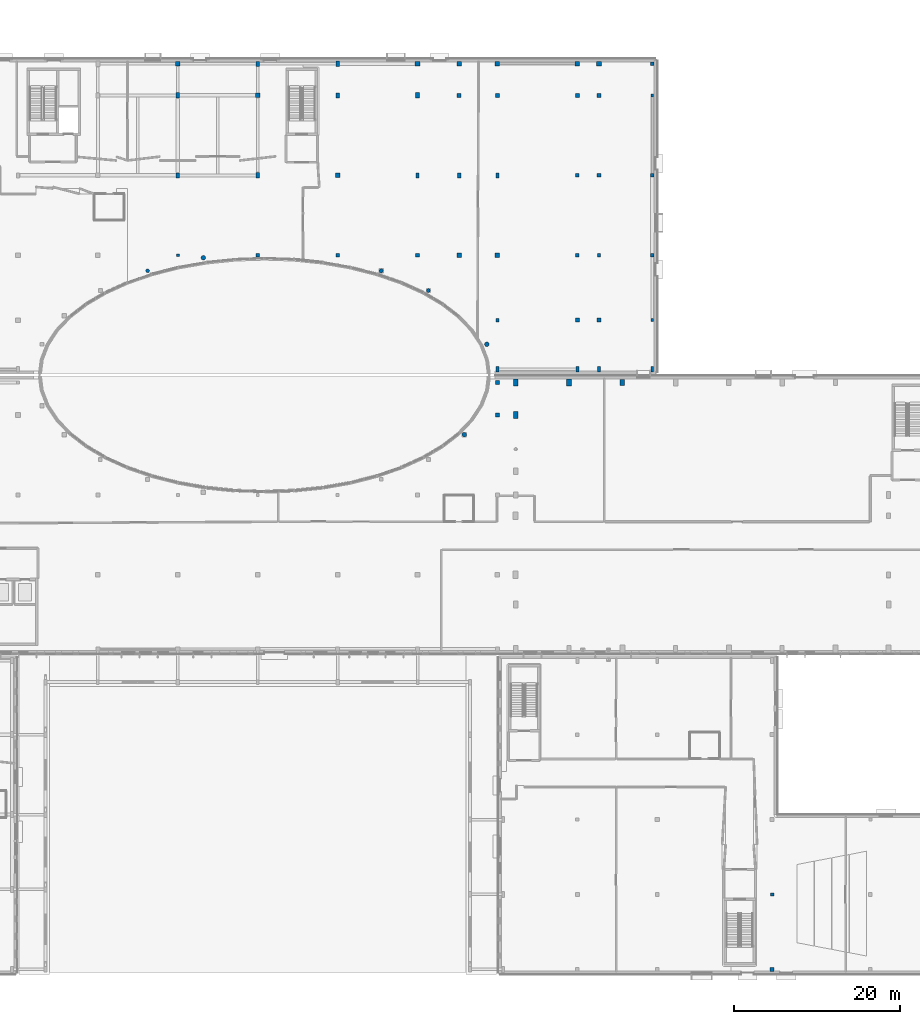
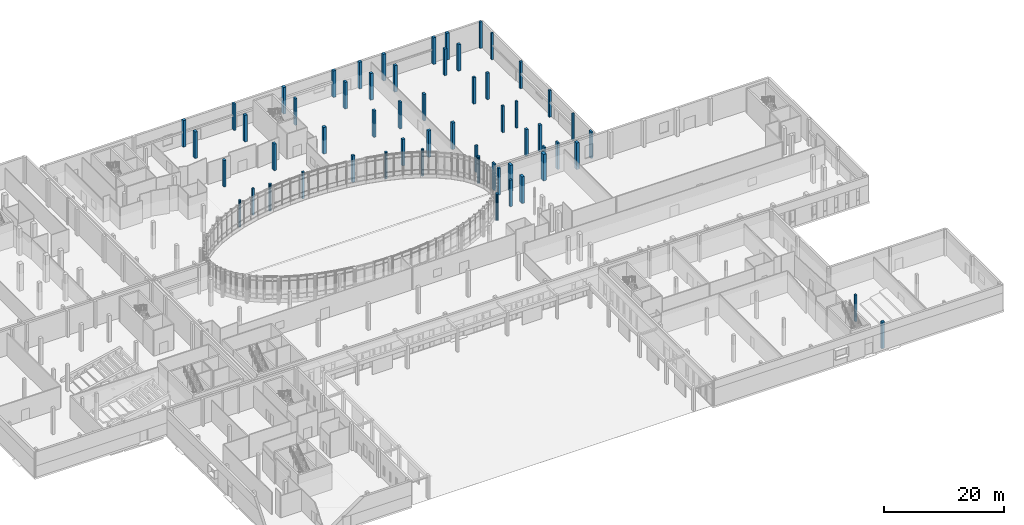
# One storey, part 7 of 84: 58 columns.
"""IFC4 building model written with IfcOpenShell, lengths in metres."""

from ifc_helpers import new_model, si_unit, direction, frame, origin, origin_2d, place, context, subcontext, project, spatial, rectangle, circle, extrude, material, material_profile, profile_set, type_object, element, save


model = new_model("IFC4")

# Units and contexts
model_context = context("Model", 3, precision=1e-05, world=origin(), true_north=direction((0.0, 1.0)))
body_context = subcontext(model_context, "Body", "Model", "MODEL_VIEW")
ifc_project = project(units=[si_unit("LENGTHUNIT", "METRE"), si_unit("AREAUNIT", "SQUARE_METRE"), si_unit("VOLUMEUNIT", "CUBIC_METRE"), si_unit("PLANEANGLEUNIT", "RADIAN"), si_unit("MASSUNIT", "GRAM", prefix="KILO")], contexts=[model_context])

# Site, building, storey
site_placement = place(None, origin())
site = spatial("IfcSite", under=ifc_project, at=site_placement, CompositionType="ELEMENT")
building_placement = place(site_placement, origin())
building = spatial("IfcBuilding", under=site, at=building_placement, Name="Mzevani Central Library", CompositionType="ELEMENT")
storey_placement = place(building_placement, origin())
storey = spatial("IfcBuildingStorey", under=building, at=storey_placement, Name="L00", CompositionType="ELEMENT", Elevation=0.0)

# Columns
ifc_material = material(Name="Concrete C40/50", Category="concrete")
ifc_material_profile_1 = material_profile(ifc_material, rectangle(XDim=0.35009765625, YDim=0.35009765625, at=origin_2d()), Name="RC 350x350")
ifc_profile_set_1 = profile_set([ifc_material_profile_1], Name="Concrete C40/50")
column_type_1 = type_object("IfcColumnType", Name="Column RC 350x350", PredefinedType="COLUMN", material=ifc_profile_set_1)
for number, where, z_axis, x_axis, name in (
    (1, (73.60009765625, 90.39990234375, 0.0), (0.0, 0.0, 1.0), (1.0, 0.0, 0.0), "L00 V3 Column C-01 (114)"),
    (2, (130.60009765625, 82.60009765625, 0.0), (0.0, 0.0, 1.0), (1.0, 0.0, 0.0), "L00 V3 Column C-01 (153)"),
    (3, (130.60009765625, 109.60009765625, 0.0), (0.0, 0.0, 1.0), (1.0, 0.0, 0.0), "L00 V3 Column C-01 (156)"),
):
    element("IfcColumn", number, at=place(storey_placement, frame(where, z_axis=z_axis, x_axis=x_axis)), inside=storey, type_object=column_type_1, Name=name, PredefinedType="COLUMN", context=body_context, shape_type="SweptSolid", body=[
        extrude(rectangle(XDim=0.35009765625, YDim=0.35009765625, at=origin_2d()), origin(), (0.0, 0.0, 1.0), 5.39990234375),
    ])
ifc_material_profile_2 = material_profile(ifc_material, rectangle(XDim=0.39990234375, YDim=0.39990234375, at=origin_2d()), Name="RC 400x400")
ifc_profile_set_2 = profile_set([ifc_material_profile_2], Name="Concrete C40/50")
column_type_2 = type_object("IfcColumnType", Name="Column RC 400x400", PredefinedType="COLUMN", material=ifc_profile_set_2)
for number, where, z_axis, x_axis, name in (
    (4, (83.199951171875, 90.39990234375, 0.0), (0.0, 0.0, 1.0), (1.0, 0.0, 0.0), "L00 V3 Column C-02 (118)"),
    (5, (112.0, 82.60009765625, 0.0), (0.0, 0.0, 1.0), (1.0, 0.0, 0.0), "L00 V3 Column C-02 (135)"),
    (6, (121.60009765625, 90.39990234375, 0.0), (0.0, 0.0, 1.0), (1.0, 0.0, 0.0), "L00 V3 Column C-02 (142)"),
    (7, (124.199951171875, 90.39990234375, 0.0), (0.0, 0.0, 1.0), (1.0, 0.0, 0.0), "L00 V3 Column C-02 (148)"),
    (8, (130.60009765625, 90.39990234375, 0.0), (0.0, 0.0, 1.0), (1.0, 0.0, 0.0), "L00 V3 Column C-02 (154)"),
    (9, (130.60009765625, 113.39990234375, 0.0), (0.0, 0.0, 1.0), (1.0, 0.0, 0.0), "L00 V3 Column C-02 (157)"),
    (10, (145.0, 13.60009765625, 0.0), (0.0, 0.0, 1.0), (1.0, 0.0, 0.0), "L00 V6 Column C-02 (225)"),
):
    element("IfcColumn", number, at=place(storey_placement, frame(where, z_axis=z_axis, x_axis=x_axis)), inside=storey, type_object=column_type_2, Name=name, PredefinedType="COLUMN", context=body_context, shape_type="SweptSolid", body=[
        extrude(rectangle(XDim=0.39990234375, YDim=0.39990234375, at=origin_2d()), origin(), (0.0, 0.0, 1.0), 5.39990234375),
    ])
ifc_material_profile_3 = material_profile(ifc_material, rectangle(XDim=0.39990234375, YDim=0.60009765625, at=origin_2d()), Name="RC 400x600")
ifc_profile_set_3 = profile_set([ifc_material_profile_3], Name="Concrete C40/50")
column_type_3 = type_object("IfcColumnType", Name="Column RC 400x600", PredefinedType="COLUMN", material=ifc_profile_set_3)
for number, where, z_axis, x_axis, name in (
    (11, (73.60009765625, 100.0, 0.0), (0.0, 0.0, 1.0), (1.0, 0.0, 0.0), "L00 V3 Column C-11 (115)"),
    (12, (83.199951171875, 113.39990234375, 0.0), (0.0, 0.0, 1.0), (1.0, 0.0, 0.0), "L00 V3 Column C-11 (121)"),
    (13, (92.800048828125, 109.60009765625, 0.0), (0.0, 0.0, 1.0), (1.0, 0.0, 0.0), "L00 V3 Column C-11 (124)"),
    (14, (102.39990234375, 100.0, 0.0), (0.0, 0.0, 1.0), (1.0, 0.0, 0.0), "L00 V3 Column C-11 (127)"),
    (15, (107.39990234375, 100.0, 0.0), (0.0, 0.0, 1.0), (1.0, 0.0, 0.0), "L00 V3 Column C-11 (131)"),
    (16, (112.0, 100.0, 0.0), (0.0, 0.0, 1.0), (1.0, 0.0, 0.0), "L00 V3 Column C-11 (137)"),
):
    element("IfcColumn", number, at=place(storey_placement, frame(where, z_axis=z_axis, x_axis=x_axis)), inside=storey, type_object=column_type_3, Name=name, PredefinedType="COLUMN", context=body_context, shape_type="SweptSolid", body=[
        extrude(rectangle(XDim=0.39990234375, YDim=0.60009765625, at=origin_2d()), origin(), (0.0, 0.0, 1.0), 5.39990234375),
    ])
ifc_material_profile_4 = material_profile(ifc_material, rectangle(XDim=0.449951171875, YDim=0.449951171875, at=origin_2d()), Name="RC 450x450")
ifc_profile_set_4 = profile_set([ifc_material_profile_4], Name="Concrete C40/50")
column_type_4 = type_object("IfcColumnType", Name="Column RC 450x450", PredefinedType="COLUMN", material=ifc_profile_set_4)
for number, where, z_axis, x_axis, name in (
    (17, (112.0, 71.199951171875, 0.0), (0.0, 0.0, 1.0), (1.0, 0.0, 0.0), "L00 V1 Column C-03 (25)"),
    (18, (112.0, 75.10009765625, 0.0), (0.0, 0.0, 1.0), (1.0, 0.0, 0.0), "L00 V1 Column C-03 (26)"),
    (19, (92.800048828125, 90.39990234375, 0.0), (0.0, 0.0, 1.0), (1.0, 0.0, 0.0), "L00 V3 Column C-03 (122)"),
    (20, (102.39990234375, 90.39990234375, 0.0), (0.0, 0.0, 1.0), (1.0, 0.0, 0.0), "L00 V3 Column C-03 (126)"),
    (21, (121.60009765625, 100.0, 0.0), (0.0, 0.0, 1.0), (1.0, 0.0, 0.0), "L00 V3 Column C-03 (143)"),
    (22, (124.199951171875, 100.0, 0.0), (0.0, 0.0, 1.0), (1.0, 0.0, 0.0), "L00 V3 Column C-03 (149)"),
    (23, (130.60009765625, 100.0, 0.0), (0.0, 0.0, 1.0), (1.0, 0.0, 0.0), "L00 V3 Column C-03 (155)"),
):
    element("IfcColumn", number, at=place(storey_placement, frame(where, z_axis=z_axis, x_axis=x_axis)), inside=storey, type_object=column_type_4, Name=name, PredefinedType="COLUMN", context=body_context, shape_type="SweptSolid", body=[
        extrude(rectangle(XDim=0.449951171875, YDim=0.449951171875, at=origin_2d()), origin(), (0.0, 0.0, 1.0), 5.39990234375),
    ])
ifc_material_profile_5 = material_profile(ifc_material, rectangle(XDim=0.449951171875, YDim=0.64990234375, at=origin_2d()), Name="RC 450x650")
ifc_profile_set_5 = profile_set([ifc_material_profile_5], Name="Concrete C40/50")
column_type_5 = type_object("IfcColumnType", Name="Column RC 450x650", PredefinedType="COLUMN", material=ifc_profile_set_5)
for number, where, z_axis, x_axis, name in (
    (24, (73.60009765625, 109.60009765625, 0.0), (0.0, 0.0, 1.0), (1.0, 0.0, 0.0), "L00 V3 Column C-12 (116)"),
    (25, (83.199951171875, 100.0, 0.0), (0.0, 0.0, 1.0), (1.0, 0.0, 0.0), "L00 V3 Column C-12 (119)"),
    (26, (92.800048828125, 113.39990234375, 0.0), (0.0, 0.0, 1.0), (1.0, 0.0, 0.0), "L00 V3 Column C-12 (125)"),
    (27, (102.39990234375, 109.60009765625, 0.0), (0.0, 0.0, 1.0), (1.0, 0.0, 0.0), "L00 V3 Column C-12 (128)"),
):
    element("IfcColumn", number, at=place(storey_placement, frame(where, z_axis=z_axis, x_axis=x_axis)), inside=storey, type_object=column_type_5, Name=name, PredefinedType="COLUMN", context=body_context, shape_type="SweptSolid", body=[
        extrude(rectangle(XDim=0.449951171875, YDim=0.64990234375, at=origin_2d()), origin(), (0.0, 0.0, 1.0), 5.39990234375),
    ])
ifc_material_profile_6 = material_profile(ifc_material, rectangle(XDim=0.5, YDim=0.5, at=origin_2d()), Name="RC 500x500")
ifc_profile_set_6 = profile_set([ifc_material_profile_6], Name="Concrete C40/50")
column_type_6 = type_object("IfcColumnType", Name="Column RC 500x500", PredefinedType="COLUMN", material=ifc_profile_set_6)
for number, where, z_axis, x_axis, name in (
    (28, (107.39990234375, 109.60009765625, 0.0), (0.0, 0.0, 1.0), (1.0, 0.0, 0.0), "L00 V3 Column C-04 (132)"),
    (29, (112.0, 109.60009765625, 0.0), (0.0, 0.0, 1.0), (1.0, 0.0, 0.0), "L00 V3 Column C-04 (138)"),
    (30, (121.60009765625, 82.60009765625, 0.0), (0.0, 0.0, 1.0), (1.0, 0.0, 0.0), "L00 V3 Column C-04 (141)"),
    (31, (121.60009765625, 109.60009765625, 0.0), (0.0, 0.0, 1.0), (1.0, 0.0, 0.0), "L00 V3 Column C-04 (144)"),
    (32, (124.199951171875, 82.60009765625, 0.0), (0.0, 0.0, 1.0), (1.0, 0.0, 0.0), "L00 V3 Column C-04 (147)"),
    (33, (124.199951171875, 109.60009765625, 0.0), (0.0, 0.0, 1.0), (1.0, 0.0, 0.0), "L00 V3 Column C-04 (150)"),
    (34, (145.0, 4.60009765625, 0.0), (0.0, 0.0, 1.0), (1.0, 0.0, 0.0), "L00 V6 Column C-04 (224)"),
):
    element("IfcColumn", number, at=place(storey_placement, frame(where, z_axis=z_axis, x_axis=x_axis)), inside=storey, type_object=column_type_6, Name=name, PredefinedType="COLUMN", context=body_context, shape_type="SweptSolid", body=[
        extrude(rectangle(XDim=0.5, YDim=0.5, at=origin_2d()), origin(), (0.0, 0.0, 1.0), 5.39990234375),
    ])
ifc_material_profile_7 = material_profile(ifc_material, rectangle(XDim=0.5, YDim=0.699951171875, at=origin_2d()), Name="RC 500x700")
ifc_profile_set_7 = profile_set([ifc_material_profile_7], Name="Concrete C40/50")
column_type_7 = type_object("IfcColumnType", Name="Column RC 500x700", PredefinedType="COLUMN", material=ifc_profile_set_7)
column_1_placement = place(storey_placement, frame((127.0, 75.10009765625, 0.0), z_axis=(0.0, 0.0, 1.0), x_axis=(1.0, 0.0, 0.0)))
element("IfcColumn", 35, at=column_1_placement, inside=storey, type_object=column_type_7, Name="L00 V1 Column C-14 (41)", PredefinedType="COLUMN", context=body_context, shape_type="SweptSolid", body=[
    extrude(rectangle(XDim=0.5, YDim=0.699951171875, at=origin_2d()), origin(), (0.0, 0.0, 1.0), 5.39990234375),
])
ifc_material_profile_8 = material_profile(ifc_material, rectangle(XDim=0.5, YDim=0.800048828125, at=origin_2d()), Name="RC 500x800")
ifc_profile_set_8 = profile_set([ifc_material_profile_8], Name="Concrete C40/50")
column_type_8 = type_object("IfcColumnType", Name="Column RC 500x800", PredefinedType="COLUMN", material=ifc_profile_set_8)
for number, where, z_axis, x_axis, name in (
    (36, (114.199951171875, 71.199951171875, 0.0), (0.0, 0.0, 1.0), (1.0, 0.0, 0.0), "L00 V1 Column C-15 (30)"),
    (37, (114.199951171875, 75.10009765625, 0.0), (0.0, 0.0, 1.0), (1.0, 0.0, 0.0), "L00 V1 Column C-15 (31)"),
):
    element("IfcColumn", number, at=place(storey_placement, frame(where, z_axis=z_axis, x_axis=x_axis)), inside=storey, type_object=column_type_8, Name=name, PredefinedType="COLUMN", context=body_context, shape_type="SweptSolid", body=[
        extrude(rectangle(XDim=0.5, YDim=0.800048828125, at=origin_2d()), origin(), (0.0, 0.0, 1.0), 5.39990234375),
    ])
ifc_material_profile_9 = material_profile(ifc_material, rectangle(XDim=0.550048828125, YDim=0.550048828125, at=origin_2d()), Name="RC 550x550")
ifc_profile_set_9 = profile_set([ifc_material_profile_9], Name="Concrete C40/50")
column_type_9 = type_object("IfcColumnType", Name="Column RC 550x550", PredefinedType="COLUMN", material=ifc_profile_set_9)
for number, where, z_axis, x_axis, name in (
    (38, (73.60009765625, 113.39990234375, 0.0), (0.0, 0.0, 1.0), (1.0, 0.0, 0.0), "L00 V3 Column C-05 (117)"),
    (39, (83.199951171875, 109.60009765625, 0.0), (0.0, 0.0, 1.0), (1.0, 0.0, 0.0), "L00 V3 Column C-05 (120)"),
    (40, (92.800048828125, 100.0, 0.0), (0.0, 0.0, 1.0), (1.0, 0.0, 0.0), "L00 V3 Column C-05 (123)"),
    (41, (102.39990234375, 113.39990234375, 0.0), (0.0, 0.0, 1.0), (1.0, 0.0, 0.0), "L00 V3 Column C-05 (129)"),
    (42, (107.39990234375, 90.39990234375, 0.0), (0.0, 0.0, 1.0), (1.0, 0.0, 0.0), "L00 V3 Column C-05 (130)"),
    (43, (107.39990234375, 113.39990234375, 0.0), (0.0, 0.0, 1.0), (1.0, 0.0, 0.0), "L00 V3 Column C-05 (133)"),
    (44, (112.0, 90.39990234375, 0.0), (0.0, 0.0, 1.0), (1.0, 0.0, 0.0), "L00 V3 Column C-05 (136)"),
    (45, (112.0, 113.39990234375, 0.0), (0.0, 0.0, 1.0), (1.0, 0.0, 0.0), "L00 V3 Column C-05 (139)"),
    (46, (121.60009765625, 113.39990234375, 0.0), (0.0, 0.0, 1.0), (1.0, 0.0, 0.0), "L00 V3 Column C-05 (145)"),
    (47, (124.199951171875, 113.39990234375, 0.0), (0.0, 0.0, 1.0), (1.0, 0.0, 0.0), "L00 V3 Column C-05 (151)"),
):
    element("IfcColumn", number, at=place(storey_placement, frame(where, z_axis=z_axis, x_axis=x_axis)), inside=storey, type_object=column_type_9, Name=name, PredefinedType="COLUMN", context=body_context, shape_type="SweptSolid", body=[
        extrude(rectangle(XDim=0.550048828125, YDim=0.550048828125, at=origin_2d()), origin(), (0.0, 0.0, 1.0), 5.39990234375),
    ])
ifc_material_profile_10 = material_profile(ifc_material, rectangle(XDim=0.550048828125, YDim=0.85009765625, at=origin_2d()), Name="RC 550x850")
ifc_profile_set_10 = profile_set([ifc_material_profile_10], Name="Concrete C40/50")
column_type_10 = type_object("IfcColumnType", Name="Column RC 550x850", PredefinedType="COLUMN", material=ifc_profile_set_10)
column_2_placement = place(storey_placement, frame((120.60009765625, 75.10009765625, 0.0), z_axis=(0.0, 0.0, 1.0), x_axis=(1.0, 0.0, 0.0)))
element("IfcColumn", 48, at=column_2_placement, inside=storey, type_object=column_type_10, Name="L00 V1 Column C-16 (39)", PredefinedType="COLUMN", context=body_context, shape_type="SweptSolid", body=[
    extrude(rectangle(XDim=0.550048828125, YDim=0.85009765625, at=origin_2d()), origin(), (0.0, 0.0, 1.0), 5.39990234375),
])
ifc_material_profile_11 = material_profile(ifc_material, circle(Radius=0.22509765625, at=origin_2d()), Name="RC D450")
ifc_profile_set_11 = profile_set([ifc_material_profile_11], Name="Concrete C40/50")
column_type_11 = type_object("IfcColumnType", Name="Court Column RC D450", PredefinedType="COLUMN", material=ifc_profile_set_11)
for number, where, z_axis, x_axis, name in (
    (49, (103.7060546875, 86.156005859375, 0.0), (0.0, 0.0, 1.0), (1.0, 0.0, 0.0), "L00 V3 Column CC-02 (159)"),
    (50, (69.966064453125, 88.528076171875, 0.0), (0.0, 0.0, 1.0), (1.0, 0.0, 0.0), "L00 V3 Column CC-02 (162)"),
):
    element("IfcColumn", number, at=place(storey_placement, frame(where, z_axis=z_axis, x_axis=x_axis)), inside=storey, type_object=column_type_11, Name=name, PredefinedType="COLUMN", context=body_context, shape_type="SweptSolid", body=[
        extrude(circle(Radius=0.22509765625, at=origin_2d()), origin(), (0.0, 0.0, 1.0), 5.39990234375),
    ])
ifc_material_profile_12 = material_profile(ifc_material, circle(Radius=0.25, at=origin_2d()), Name="RC D500")
ifc_profile_set_12 = profile_set([ifc_material_profile_12], Name="Concrete C40/50")
column_type_12 = type_object("IfcColumnType", Name="Court Column RC D500", PredefinedType="COLUMN", material=ifc_profile_set_12)
column_3_placement = place(storey_placement, frame((98.033935546875, 88.528076171875, 0.0), z_axis=(0.0, 0.0, 1.0), x_axis=(1.0, 0.0, 0.0)))
element("IfcColumn", 51, at=column_3_placement, inside=storey, type_object=column_type_12, Name="L00 V3 Column CC-03 (160)", PredefinedType="COLUMN", context=body_context, shape_type="SweptSolid", body=[
    extrude(circle(Radius=0.25, at=origin_2d()), origin(), (0.0, 0.0, 1.0), 5.39990234375),
])
ifc_material_profile_13 = material_profile(ifc_material, circle(Radius=0.27490234375, at=origin_2d()), Name="RC D550")
ifc_profile_set_13 = profile_set([ifc_material_profile_13], Name="Concrete C40/50")
column_type_13 = type_object("IfcColumnType", Name="Court Column RC D550", PredefinedType="COLUMN", material=ifc_profile_set_13)
for number, where, z_axis, x_axis, name in (
    (52, (108.02392578125, 68.85107421875, 0.0), (0.0, 0.0, 1.0), (1.0, 0.0, 0.0), "L00 V1 Column CC-04 (62)"),
    (53, (110.72900390625, 79.69091796875, 0.0), (0.0, 0.0, 1.0), (1.0, 0.0, 0.0), "L00 V3 Column CC-04 (158)"),
    (54, (76.672119140625, 90.095947265625, 0.0), (0.0, 0.0, 1.0), (1.0, 0.0, 0.0), "L00 V3 Column CC-04 (161)"),
):
    element("IfcColumn", number, at=place(storey_placement, frame(where, z_axis=z_axis, x_axis=x_axis)), inside=storey, type_object=column_type_13, Name=name, PredefinedType="COLUMN", context=body_context, shape_type="SweptSolid", body=[
        extrude(circle(Radius=0.27490234375, at=origin_2d()), origin(), (0.0, 0.0, 1.0), 5.39990234375),
    ])
ifc_material_profile_14 = material_profile(ifc_material, rectangle(XDim=0.35009765625, YDim=0.699951171875, at=origin_2d()), Name="RC 350x700")
ifc_profile_set_14 = profile_set([ifc_material_profile_14], Name="Concrete C40/50")
column_type_14 = type_object("IfcColumnType", Name="Joint Twin Column RC 350x700", PredefinedType="COLUMN", material=ifc_profile_set_14)
for number, where, z_axis, x_axis, name in (
    (55, (112.0, 76.699951171875, 0.0), (0.0, 0.0, 1.0), (1.0, 0.0, 0.0), "L00 V3 Column C-18 (134)"),
    (56, (121.60009765625, 76.699951171875, 0.0), (0.0, 0.0, 1.0), (1.0, 0.0, 0.0), "L00 V3 Column C-18 (140)"),
    (57, (124.199951171875, 76.699951171875, 0.0), (0.0, 0.0, 1.0), (1.0, 0.0, 0.0), "L00 V3 Column C-18 (146)"),
    (58, (130.60009765625, 76.699951171875, 0.0), (0.0, 0.0, 1.0), (1.0, 0.0, 0.0), "L00 V3 Column C-18 (152)"),
):
    element("IfcColumn", number, at=place(storey_placement, frame(where, z_axis=z_axis, x_axis=x_axis)), inside=storey, type_object=column_type_14, Name=name, PredefinedType="COLUMN", context=body_context, shape_type="SweptSolid", body=[
        extrude(rectangle(XDim=0.35009765625, YDim=0.699951171875, at=origin_2d()), origin(), (0.0, 0.0, 1.0), 5.39990234375),
    ])

save(model, "model.ifc")
